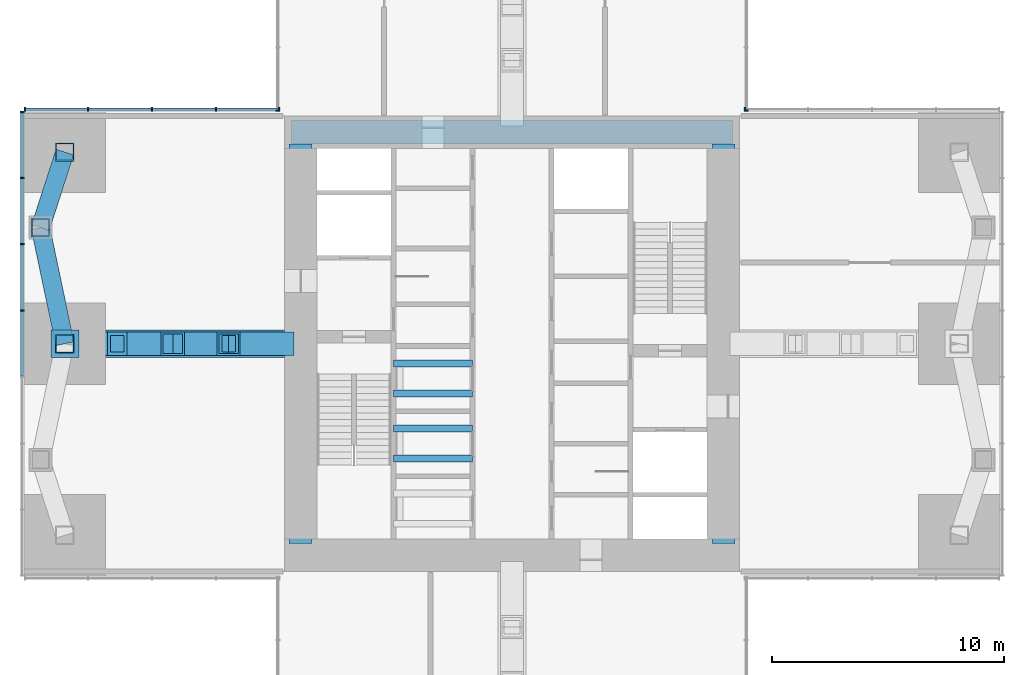
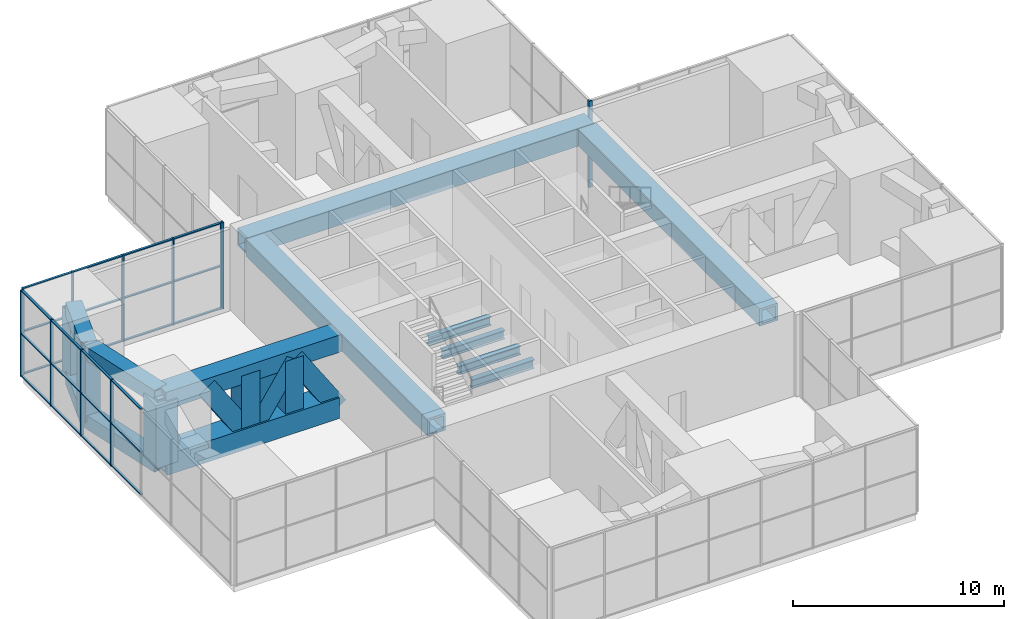
# One storey, part 4 of 12: 54 members, 4 beams, 5 elements without a shape of their own.
"""IFC4 building model written with IfcOpenShell, lengths in metres."""

from ifc_helpers import new_model, si_unit, direction, frame, origin, origin_2d, place, context, subcontext, project, spatial, rectangle, hollow_rectangle, i_section, extrude, material, material_profile, profile_set, type_object, element, aggregate, save


model = new_model("IFC4")

# Units and contexts
model_context = context("Model", 3, precision=1e-05, world=origin(), true_north=direction((0.0, 1.0)))
body_context = subcontext(model_context, "Body", "Model", "MODEL_VIEW")
ifc_project = project(units=[si_unit("LENGTHUNIT", "METRE"), si_unit("AREAUNIT", "SQUARE_METRE"), si_unit("VOLUMEUNIT", "CUBIC_METRE"), si_unit("PLANEANGLEUNIT", "RADIAN"), si_unit("MASSUNIT", "GRAM", prefix="KILO")], contexts=[model_context])

# Site, building, storey
site_placement = place(None, origin())
site = spatial("IfcSite", under=ifc_project, at=site_placement, CompositionType="ELEMENT")
building_placement = place(site_placement, origin())
building = spatial("IfcBuilding", under=site, at=building_placement, Name="Svetlomir Tower", CompositionType="ELEMENT")
storey_placement = place(building_placement, frame((0.0, 0.0, 234.5)))
storey = spatial("IfcBuildingStorey", under=building, at=storey_placement, Name="L56", CompositionType="ELEMENT", Elevation=234.5)

# Members
ifc_material_1 = material(Name="Steel S355", Category="steel")
ifc_material_profile_1 = material_profile(ifc_material_1, hollow_rectangle(XDim=0.800048828125, YDim=0.800048828125, WallThickness=0.050048828125, at=origin_2d()), Name="BOX 800x800x50")
ifc_profile_set_1 = profile_set([ifc_material_profile_1], Name="Steel S355")
member_type_1 = type_object("IfcMemberType", Name="BELT FRAME CHORD BOX 800x800x50", PredefinedType="CHORD", material=ifc_profile_set_1)
for number, where, z_axis, x_axis, name in (
    (1, (1.75, 21.0, 0.39990234375), (-0.205526387753, 0.978651574329, 0.0), (-0.978651574329, -0.205526387753, 0.0), "Belt frame W L56 bottom chord 3"),
    (2, (1.75, 21.0, 4.35009765625), (-0.205526387753, 0.978651574329, 0.0), (-0.978651574329, -0.205526387753, 0.0), "Belt frame W L56 top chord 3"),
):
    element("IfcMember", number, at=place(storey_placement, frame(where, z_axis=z_axis, x_axis=x_axis)), inside=storey, type_object=member_type_1, Name=name, PredefinedType="CHORD", context=body_context, shape_type="SweptSolid", body=[
        extrude(hollow_rectangle(XDim=0.800048828125, YDim=0.800048828125, WallThickness=0.050048828125, at=origin_2d()), origin(), (0.0, 0.0, 1.0), 5.109130859375),
    ])
for number, where, z_axis, x_axis, name in (
    (3, (0.699951171875, 26.0, 0.39990234375), (0.307443428225, 0.951566360503, 0.0), (-0.951566360503, 0.307443428225, 0.0), "Belt frame W L56 bottom chord 4"),
    (4, (0.699951171875, 26.0, 4.35009765625), (0.307443428225, 0.951566360503, 0.0), (-0.951566360503, 0.307443428225, 0.0), "Belt frame W L56 top chord 4"),
):
    element("IfcMember", number, at=place(storey_placement, frame(where, z_axis=z_axis, x_axis=x_axis)), inside=storey, type_object=member_type_1, Name=name, PredefinedType="CHORD", context=body_context, shape_type="SweptSolid", body=[
        extrude(hollow_rectangle(XDim=0.800048828125, YDim=0.800048828125, WallThickness=0.050048828125, at=origin_2d()), origin(), (0.0, 0.0, 1.0), 3.41552734375),
    ])
ifc_material_2 = material(Name="Steel S355", Category="steel")
ifc_material_profile_2 = material_profile(ifc_material_2, hollow_rectangle(XDim=0.800048828125, YDim=0.800048828125, WallThickness=0.050048828125, at=origin_2d()), Name="BOX 800x800x50")
ifc_profile_set_2 = profile_set([ifc_material_profile_2], Name="Steel S355")
member_type_2 = type_object("IfcMemberType", Name="BELT FRAME POST BOX 800x800x50", PredefinedType="POST", material=ifc_profile_set_2)
for number, where, z_axis, x_axis, name in (
    (5, (1.75, 21.0, 0.39990234375), (0.0, 0.0, 1.0), (1.0, 0.0, 0.0), "Belt frame W L56 post 3"),
    (6, (0.699951171875, 26.0, 0.39990234375), (0.0, 0.0, 1.0), (1.0, 0.0, 0.0), "Belt frame W L56 post 4"),
    (7, (1.75, 29.25, 0.39990234375), (0.0, 0.0, 1.0), (1.0, 0.0, 0.0), "Belt frame W L56 post 5"),
):
    element("IfcMember", number, at=place(storey_placement, frame(where, z_axis=z_axis, x_axis=x_axis)), inside=storey, type_object=member_type_2, Name=name, PredefinedType="POST", context=body_context, shape_type="SweptSolid", body=[
        extrude(hollow_rectangle(XDim=0.800048828125, YDim=0.800048828125, WallThickness=0.050048828125, at=origin_2d()), origin(), (0.0, 0.0, 1.0), 3.9501953125),
    ])

# Curtain wall, member
ifc_material_3 = material(Name="Bronze anodised aluminium curtain wall", Category="aluminium")
curtain_wall_type = type_object("IfcCurtainWallType", Name="CURTAIN WALL CW3 PLANT LOUVRE", PredefinedType="NOTDEFINED", material=ifc_material_3)
curtain_wall_1_placement = place(storey_placement, origin())
curtain_wall_1 = element("IfcCurtainWall", 8, at=curtain_wall_1_placement, inside=storey, type_object=curtain_wall_type, Name="Curtain wall CW3 L56", PredefinedType="NOTDEFINED")
ifc_material_4 = material(Name="Bronze anodised aluminium", Category="aluminium")
ifc_material_profile_3 = material_profile(ifc_material_4, rectangle(XDim=0.06494140625, YDim=0.179931640625, at=origin_2d()), Name="AL 65x180")
ifc_profile_set_3 = profile_set([ifc_material_profile_3], Name="Bronze anodised aluminium 6063-T6")
member_type_3 = type_object("IfcMemberType", Name="CW3 MULLION 65x180", PredefinedType="MULLION", material=ifc_profile_set_3)
member_1_placement = place(storey_placement, frame((31.032470703125, 31.090087890625, 0.0), z_axis=(0.0, 0.0, 1.0), x_axis=(-1.0, 0.0, 0.0)))
member_1 = element("IfcMember", 9, at=member_1_placement, type_object=member_type_3, Name="CW3 mullion 5", PredefinedType="MULLION", context=body_context, shape_type="SweptSolid", body=[
    extrude(rectangle(XDim=0.06494140625, YDim=0.179931640625, at=origin_2d()), origin(), (0.0, 0.0, 1.0), 5.0),
])
aggregate(curtain_wall_1, [member_1])

curtain_wall_2_placement = place(storey_placement, origin())
curtain_wall_2 = element("IfcCurtainWall", 10, at=curtain_wall_2_placement, inside=storey, type_object=curtain_wall_type, Name="Curtain wall CW3 L56", PredefinedType="NOTDEFINED")
member_2_placement = place(storey_placement, frame((31.090087890625, 31.032470703125, 0.0), z_axis=(0.0, 0.0, 1.0), x_axis=(0.0, 1.0, 0.0)))
member_2 = element("IfcMember", 11, at=member_2_placement, type_object=member_type_3, Name="CW3 mullion 1", PredefinedType="MULLION", context=body_context, shape_type="SweptSolid", body=[
    extrude(rectangle(XDim=0.06494140625, YDim=0.179931640625, at=origin_2d()), origin(), (0.0, 0.0, 1.0), 5.0),
])
aggregate(curtain_wall_2, [member_2])

curtain_wall_3_placement = place(storey_placement, origin())
curtain_wall_3 = element("IfcCurtainWall", 12, at=curtain_wall_3_placement, inside=storey, type_object=curtain_wall_type, Name="Curtain wall CW3 L56", PredefinedType="NOTDEFINED")
member_3_placement = place(storey_placement, frame((10.909912109375, 31.032470703125, 0.0), z_axis=(0.0, 0.0, 1.0), x_axis=(0.0, -1.0, 0.0)))
member_3 = element("IfcMember", 13, at=member_3_placement, type_object=member_type_3, Name="CW3 mullion 5", PredefinedType="MULLION", context=body_context, shape_type="SweptSolid", body=[
    extrude(rectangle(XDim=0.06494140625, YDim=0.179931640625, at=origin_2d()), origin(), (0.0, 0.0, 1.0), 5.0),
])
aggregate(curtain_wall_3, [member_3])

# Curtain wall, members
curtain_wall_4_placement = place(storey_placement, origin())
curtain_wall_4 = element("IfcCurtainWall", 14, at=curtain_wall_4_placement, inside=storey, type_object=curtain_wall_type, Name="Curtain wall CW3 L56", PredefinedType="NOTDEFINED")
member_4_placement = place(storey_placement, frame((10.967529296875, 31.090087890625, 0.0), z_axis=(0.0, 0.0, 1.0), x_axis=(-1.0, 0.0, 0.0)))
member_4 = element("IfcMember", 15, at=member_4_placement, type_object=member_type_3, Name="CW3 mullion 1", PredefinedType="MULLION", context=body_context, shape_type="SweptSolid", body=[
    extrude(rectangle(XDim=0.06494140625, YDim=0.179931640625, at=origin_2d()), origin(), (0.0, 0.0, 1.0), 5.0),
])
member_5_placement = place(storey_placement, frame((8.25, 31.090087890625, 0.0), z_axis=(0.0, 0.0, 1.0), x_axis=(-1.0, 0.0, 0.0)))
member_5 = element("IfcMember", 16, at=member_5_placement, type_object=member_type_3, Name="CW3 mullion 2", PredefinedType="MULLION", context=body_context, shape_type="SweptSolid", body=[
    extrude(rectangle(XDim=0.06494140625, YDim=0.179931640625, at=origin_2d()), origin(), (0.0, 0.0, 1.0), 5.0),
])
member_6_placement = place(storey_placement, frame((5.5, 31.090087890625, 0.0), z_axis=(0.0, 0.0, 1.0), x_axis=(-1.0, 0.0, 0.0)))
member_6 = element("IfcMember", 17, at=member_6_placement, type_object=member_type_3, Name="CW3 mullion 3", PredefinedType="MULLION", context=body_context, shape_type="SweptSolid", body=[
    extrude(rectangle(XDim=0.06494140625, YDim=0.179931640625, at=origin_2d()), origin(), (0.0, 0.0, 1.0), 5.0),
])
member_7_placement = place(storey_placement, frame((2.75, 31.090087890625, 0.0), z_axis=(0.0, 0.0, 1.0), x_axis=(-1.0, 0.0, 0.0)))
member_7 = element("IfcMember", 18, at=member_7_placement, type_object=member_type_3, Name="CW3 mullion 4", PredefinedType="MULLION", context=body_context, shape_type="SweptSolid", body=[
    extrude(rectangle(XDim=0.06494140625, YDim=0.179931640625, at=origin_2d()), origin(), (0.0, 0.0, 1.0), 5.0),
])
member_8_placement = place(storey_placement, frame((0.032470703125, 31.090087890625, 0.0), z_axis=(0.0, 0.0, 1.0), x_axis=(-1.0, 0.0, 0.0)))
member_8 = element("IfcMember", 19, at=member_8_placement, type_object=member_type_3, Name="CW3 mullion 5", PredefinedType="MULLION", context=body_context, shape_type="SweptSolid", body=[
    extrude(rectangle(XDim=0.06494140625, YDim=0.179931640625, at=origin_2d()), origin(), (0.0, 0.0, 1.0), 5.0),
])

curtain_wall_5_placement = place(storey_placement, origin())
curtain_wall_5 = element("IfcCurtainWall", 20, at=curtain_wall_5_placement, inside=storey, type_object=curtain_wall_type, Name="Curtain wall CW3 L56", PredefinedType="NOTDEFINED")
member_9_placement = place(storey_placement, frame((-0.090087890625, 30.967529296875, 0.0), z_axis=(0.0, 0.0, 1.0), x_axis=(0.0, -1.0, 0.0)))
member_9 = element("IfcMember", 21, at=member_9_placement, type_object=member_type_3, Name="CW3 mullion 1", PredefinedType="MULLION", context=body_context, shape_type="SweptSolid", body=[
    extrude(rectangle(XDim=0.06494140625, YDim=0.179931640625, at=origin_2d()), origin(), (0.0, 0.0, 1.0), 5.0),
])
member_10_placement = place(storey_placement, frame((-0.090087890625, 28.142822265625, 0.0), z_axis=(0.0, 0.0, 1.0), x_axis=(0.0, -1.0, 0.0)))
member_10 = element("IfcMember", 22, at=member_10_placement, type_object=member_type_3, Name="CW3 mullion 2", PredefinedType="MULLION", context=body_context, shape_type="SweptSolid", body=[
    extrude(rectangle(XDim=0.06494140625, YDim=0.179931640625, at=origin_2d()), origin(), (0.0, 0.0, 1.0), 5.0),
])
member_11_placement = place(storey_placement, frame((-0.090087890625, 25.28564453125, 0.0), z_axis=(0.0, 0.0, 1.0), x_axis=(0.0, -1.0, 0.0)))
member_11 = element("IfcMember", 23, at=member_11_placement, type_object=member_type_3, Name="CW3 mullion 3", PredefinedType="MULLION", context=body_context, shape_type="SweptSolid", body=[
    extrude(rectangle(XDim=0.06494140625, YDim=0.179931640625, at=origin_2d()), origin(), (0.0, 0.0, 1.0), 5.0),
])
member_12_placement = place(storey_placement, frame((-0.090087890625, 22.428466796875, 0.0), z_axis=(0.0, 0.0, 1.0), x_axis=(0.0, -1.0, 0.0)))
member_12 = element("IfcMember", 24, at=member_12_placement, type_object=member_type_3, Name="CW3 mullion 4", PredefinedType="MULLION", context=body_context, shape_type="SweptSolid", body=[
    extrude(rectangle(XDim=0.06494140625, YDim=0.179931640625, at=origin_2d()), origin(), (0.0, 0.0, 1.0), 5.0),
])

# Member
ifc_material_5 = material(Name="Bronze anodised aluminium", Category="aluminium")
ifc_material_profile_4 = material_profile(ifc_material_5, rectangle(XDim=0.1201171875, YDim=0.06494140625, at=origin_2d()), Name="AL 120x65")
ifc_profile_set_4 = profile_set([ifc_material_profile_4], Name="Bronze anodised aluminium 6063-T6")
member_type_4 = type_object("IfcMemberType", Name="CW3 TRANSOM 65x120", PredefinedType="USERDEFINED", material=ifc_profile_set_4)
member_13_placement = place(storey_placement, frame((10.93505859375, 31.090087890625, 0.032470703125), z_axis=(-1.0, 0.0, 0.0), x_axis=(0.0, -1.0, 0.0)))
member_13 = element("IfcMember", 25, at=member_13_placement, type_object=member_type_4, Name="CW3 transom 1.1", ObjectType="TRANSOM", PredefinedType="USERDEFINED", context=body_context, shape_type="SweptSolid", body=[
    extrude(rectangle(XDim=0.1201171875, YDim=0.06494140625, at=origin_2d()), origin(), (0.0, 0.0, 1.0), 2.652587890625),
])

member_14_placement = place(storey_placement, frame((10.93505859375, 31.090087890625, 2.483642578125), z_axis=(-1.0, 0.0, 0.0), x_axis=(0.0, -1.0, 0.0)))
member_14 = element("IfcMember", 26, at=member_14_placement, type_object=member_type_4, Name="CW3 transom 1.2", ObjectType="TRANSOM", PredefinedType="USERDEFINED", context=body_context, shape_type="SweptSolid", body=[
    extrude(rectangle(XDim=0.1201171875, YDim=0.06494140625, at=origin_2d()), origin(), (0.0, 0.0, 1.0), 2.652587890625),
])

member_15_placement = place(storey_placement, frame((10.93505859375, 31.090087890625, 4.967529296875), z_axis=(-1.0, 0.0, 0.0), x_axis=(0.0, -1.0, 0.0)))
member_15 = element("IfcMember", 27, at=member_15_placement, type_object=member_type_4, Name="CW3 transom 1.3", ObjectType="TRANSOM", PredefinedType="USERDEFINED", context=body_context, shape_type="SweptSolid", body=[
    extrude(rectangle(XDim=0.1201171875, YDim=0.06494140625, at=origin_2d()), origin(), (0.0, 0.0, 1.0), 2.652587890625),
])

member_16_placement = place(storey_placement, frame((8.217529296875, 31.090087890625, 0.032470703125), z_axis=(-1.0, 0.0, 0.0), x_axis=(0.0, -1.0, 0.0)))
member_16 = element("IfcMember", 28, at=member_16_placement, type_object=member_type_4, Name="CW3 transom 2.1", ObjectType="TRANSOM", PredefinedType="USERDEFINED", context=body_context, shape_type="SweptSolid", body=[
    extrude(rectangle(XDim=0.1201171875, YDim=0.06494140625, at=origin_2d()), origin(), (0.0, 0.0, 1.0), 2.68505859375),
])

member_17_placement = place(storey_placement, frame((8.217529296875, 31.090087890625, 2.483642578125), z_axis=(-1.0, 0.0, 0.0), x_axis=(0.0, -1.0, 0.0)))
member_17 = element("IfcMember", 29, at=member_17_placement, type_object=member_type_4, Name="CW3 transom 2.2", ObjectType="TRANSOM", PredefinedType="USERDEFINED", context=body_context, shape_type="SweptSolid", body=[
    extrude(rectangle(XDim=0.1201171875, YDim=0.06494140625, at=origin_2d()), origin(), (0.0, 0.0, 1.0), 2.68505859375),
])

member_18_placement = place(storey_placement, frame((8.217529296875, 31.090087890625, 4.967529296875), z_axis=(-1.0, 0.0, 0.0), x_axis=(0.0, -1.0, 0.0)))
member_18 = element("IfcMember", 30, at=member_18_placement, type_object=member_type_4, Name="CW3 transom 2.3", ObjectType="TRANSOM", PredefinedType="USERDEFINED", context=body_context, shape_type="SweptSolid", body=[
    extrude(rectangle(XDim=0.1201171875, YDim=0.06494140625, at=origin_2d()), origin(), (0.0, 0.0, 1.0), 2.68505859375),
])

member_19_placement = place(storey_placement, frame((5.467529296875, 31.090087890625, 0.032470703125), z_axis=(-1.0, 0.0, 0.0), x_axis=(0.0, -1.0, 0.0)))
member_19 = element("IfcMember", 31, at=member_19_placement, type_object=member_type_4, Name="CW3 transom 3.1", ObjectType="TRANSOM", PredefinedType="USERDEFINED", context=body_context, shape_type="SweptSolid", body=[
    extrude(rectangle(XDim=0.1201171875, YDim=0.06494140625, at=origin_2d()), origin(), (0.0, 0.0, 1.0), 2.68505859375),
])

member_20_placement = place(storey_placement, frame((5.467529296875, 31.090087890625, 2.483642578125), z_axis=(-1.0, 0.0, 0.0), x_axis=(0.0, -1.0, 0.0)))
member_20 = element("IfcMember", 32, at=member_20_placement, type_object=member_type_4, Name="CW3 transom 3.2", ObjectType="TRANSOM", PredefinedType="USERDEFINED", context=body_context, shape_type="SweptSolid", body=[
    extrude(rectangle(XDim=0.1201171875, YDim=0.06494140625, at=origin_2d()), origin(), (0.0, 0.0, 1.0), 2.68505859375),
])

member_21_placement = place(storey_placement, frame((5.467529296875, 31.090087890625, 4.967529296875), z_axis=(-1.0, 0.0, 0.0), x_axis=(0.0, -1.0, 0.0)))
member_21 = element("IfcMember", 33, at=member_21_placement, type_object=member_type_4, Name="CW3 transom 3.3", ObjectType="TRANSOM", PredefinedType="USERDEFINED", context=body_context, shape_type="SweptSolid", body=[
    extrude(rectangle(XDim=0.1201171875, YDim=0.06494140625, at=origin_2d()), origin(), (0.0, 0.0, 1.0), 2.68505859375),
])

member_22_placement = place(storey_placement, frame((2.717529296875, 31.090087890625, 0.032470703125), z_axis=(-1.0, 0.0, 0.0), x_axis=(0.0, -1.0, 0.0)))
member_22 = element("IfcMember", 34, at=member_22_placement, type_object=member_type_4, Name="CW3 transom 4.1", ObjectType="TRANSOM", PredefinedType="USERDEFINED", context=body_context, shape_type="SweptSolid", body=[
    extrude(rectangle(XDim=0.1201171875, YDim=0.06494140625, at=origin_2d()), origin(), (0.0, 0.0, 1.0), 2.652587890625),
])

member_23_placement = place(storey_placement, frame((2.717529296875, 31.090087890625, 2.483642578125), z_axis=(-1.0, 0.0, 0.0), x_axis=(0.0, -1.0, 0.0)))
member_23 = element("IfcMember", 35, at=member_23_placement, type_object=member_type_4, Name="CW3 transom 4.2", ObjectType="TRANSOM", PredefinedType="USERDEFINED", context=body_context, shape_type="SweptSolid", body=[
    extrude(rectangle(XDim=0.1201171875, YDim=0.06494140625, at=origin_2d()), origin(), (0.0, 0.0, 1.0), 2.652587890625),
])

member_24_placement = place(storey_placement, frame((2.717529296875, 31.090087890625, 4.967529296875), z_axis=(-1.0, 0.0, 0.0), x_axis=(0.0, -1.0, 0.0)))
member_24 = element("IfcMember", 36, at=member_24_placement, type_object=member_type_4, Name="CW3 transom 4.3", ObjectType="TRANSOM", PredefinedType="USERDEFINED", context=body_context, shape_type="SweptSolid", body=[
    extrude(rectangle(XDim=0.1201171875, YDim=0.06494140625, at=origin_2d()), origin(), (0.0, 0.0, 1.0), 2.652587890625),
])

aggregate(curtain_wall_4, [member_4, member_5, member_6, member_7, member_8, member_13, member_14, member_15, member_16, member_17, member_18, member_19, member_20, member_21, member_22, member_23, member_24])

member_25_placement = place(storey_placement, frame((-0.090087890625, 30.93505859375, 0.032470703125), z_axis=(0.0, -1.0, 0.0), x_axis=(1.0, 0.0, 0.0)))
member_25 = element("IfcMember", 37, at=member_25_placement, type_object=member_type_4, Name="CW3 transom 1.1", ObjectType="TRANSOM", PredefinedType="USERDEFINED", context=body_context, shape_type="SweptSolid", body=[
    extrude(rectangle(XDim=0.1201171875, YDim=0.06494140625, at=origin_2d()), origin(), (0.0, 0.0, 1.0), 2.759765625),
])

member_26_placement = place(storey_placement, frame((-0.090087890625, 30.93505859375, 2.483642578125), z_axis=(0.0, -1.0, 0.0), x_axis=(1.0, 0.0, 0.0)))
member_26 = element("IfcMember", 38, at=member_26_placement, type_object=member_type_4, Name="CW3 transom 1.2", ObjectType="TRANSOM", PredefinedType="USERDEFINED", context=body_context, shape_type="SweptSolid", body=[
    extrude(rectangle(XDim=0.1201171875, YDim=0.06494140625, at=origin_2d()), origin(), (0.0, 0.0, 1.0), 2.759765625),
])

member_27_placement = place(storey_placement, frame((-0.090087890625, 30.93505859375, 4.967529296875), z_axis=(0.0, -1.0, 0.0), x_axis=(1.0, 0.0, 0.0)))
member_27 = element("IfcMember", 39, at=member_27_placement, type_object=member_type_4, Name="CW3 transom 1.3", ObjectType="TRANSOM", PredefinedType="USERDEFINED", context=body_context, shape_type="SweptSolid", body=[
    extrude(rectangle(XDim=0.1201171875, YDim=0.06494140625, at=origin_2d()), origin(), (0.0, 0.0, 1.0), 2.759765625),
])

member_28_placement = place(storey_placement, frame((-0.090087890625, 28.1103515625, 0.032470703125), z_axis=(0.0, -1.0, 0.0), x_axis=(1.0, 0.0, 0.0)))
member_28 = element("IfcMember", 40, at=member_28_placement, type_object=member_type_4, Name="CW3 transom 2.1", ObjectType="TRANSOM", PredefinedType="USERDEFINED", context=body_context, shape_type="SweptSolid", body=[
    extrude(rectangle(XDim=0.1201171875, YDim=0.06494140625, at=origin_2d()), origin(), (0.0, 0.0, 1.0), 2.792236328125),
])

member_29_placement = place(storey_placement, frame((-0.090087890625, 28.1103515625, 2.483642578125), z_axis=(0.0, -1.0, 0.0), x_axis=(1.0, 0.0, 0.0)))
member_29 = element("IfcMember", 41, at=member_29_placement, type_object=member_type_4, Name="CW3 transom 2.2", ObjectType="TRANSOM", PredefinedType="USERDEFINED", context=body_context, shape_type="SweptSolid", body=[
    extrude(rectangle(XDim=0.1201171875, YDim=0.06494140625, at=origin_2d()), origin(), (0.0, 0.0, 1.0), 2.792236328125),
])

member_30_placement = place(storey_placement, frame((-0.090087890625, 28.1103515625, 4.967529296875), z_axis=(0.0, -1.0, 0.0), x_axis=(1.0, 0.0, 0.0)))
member_30 = element("IfcMember", 42, at=member_30_placement, type_object=member_type_4, Name="CW3 transom 2.3", ObjectType="TRANSOM", PredefinedType="USERDEFINED", context=body_context, shape_type="SweptSolid", body=[
    extrude(rectangle(XDim=0.1201171875, YDim=0.06494140625, at=origin_2d()), origin(), (0.0, 0.0, 1.0), 2.792236328125),
])

member_31_placement = place(storey_placement, frame((-0.090087890625, 25.253173828125, 0.032470703125), z_axis=(0.0, -1.0, 0.0), x_axis=(1.0, 0.0, 0.0)))
member_31 = element("IfcMember", 43, at=member_31_placement, type_object=member_type_4, Name="CW3 transom 3.1", ObjectType="TRANSOM", PredefinedType="USERDEFINED", context=body_context, shape_type="SweptSolid", body=[
    extrude(rectangle(XDim=0.1201171875, YDim=0.06494140625, at=origin_2d()), origin(), (0.0, 0.0, 1.0), 2.7919921875),
])

member_32_placement = place(storey_placement, frame((-0.090087890625, 25.253173828125, 2.483642578125), z_axis=(0.0, -1.0, 0.0), x_axis=(1.0, 0.0, 0.0)))
member_32 = element("IfcMember", 44, at=member_32_placement, type_object=member_type_4, Name="CW3 transom 3.2", ObjectType="TRANSOM", PredefinedType="USERDEFINED", context=body_context, shape_type="SweptSolid", body=[
    extrude(rectangle(XDim=0.1201171875, YDim=0.06494140625, at=origin_2d()), origin(), (0.0, 0.0, 1.0), 2.7919921875),
])

member_33_placement = place(storey_placement, frame((-0.090087890625, 25.253173828125, 4.967529296875), z_axis=(0.0, -1.0, 0.0), x_axis=(1.0, 0.0, 0.0)))
member_33 = element("IfcMember", 45, at=member_33_placement, type_object=member_type_4, Name="CW3 transom 3.3", ObjectType="TRANSOM", PredefinedType="USERDEFINED", context=body_context, shape_type="SweptSolid", body=[
    extrude(rectangle(XDim=0.1201171875, YDim=0.06494140625, at=origin_2d()), origin(), (0.0, 0.0, 1.0), 2.7919921875),
])

member_34_placement = place(storey_placement, frame((-0.090087890625, 22.39599609375, 0.032470703125), z_axis=(0.0, -1.0, 0.0), x_axis=(1.0, 0.0, 0.0)))
member_34 = element("IfcMember", 46, at=member_34_placement, type_object=member_type_4, Name="CW3 transom 4.1", ObjectType="TRANSOM", PredefinedType="USERDEFINED", context=body_context, shape_type="SweptSolid", body=[
    extrude(rectangle(XDim=0.1201171875, YDim=0.06494140625, at=origin_2d()), origin(), (0.0, 0.0, 1.0), 2.7919921875),
])

member_35_placement = place(storey_placement, frame((-0.090087890625, 22.39599609375, 2.483642578125), z_axis=(0.0, -1.0, 0.0), x_axis=(1.0, 0.0, 0.0)))
member_35 = element("IfcMember", 47, at=member_35_placement, type_object=member_type_4, Name="CW3 transom 4.2", ObjectType="TRANSOM", PredefinedType="USERDEFINED", context=body_context, shape_type="SweptSolid", body=[
    extrude(rectangle(XDim=0.1201171875, YDim=0.06494140625, at=origin_2d()), origin(), (0.0, 0.0, 1.0), 2.7919921875),
])

member_36_placement = place(storey_placement, frame((-0.090087890625, 22.39599609375, 4.967529296875), z_axis=(0.0, -1.0, 0.0), x_axis=(1.0, 0.0, 0.0)))
member_36 = element("IfcMember", 48, at=member_36_placement, type_object=member_type_4, Name="CW3 transom 4.3", ObjectType="TRANSOM", PredefinedType="USERDEFINED", context=body_context, shape_type="SweptSolid", body=[
    extrude(rectangle(XDim=0.1201171875, YDim=0.06494140625, at=origin_2d()), origin(), (0.0, 0.0, 1.0), 2.7919921875),
])

aggregate(curtain_wall_5, [member_9, member_10, member_11, member_12, member_25, member_26, member_27, member_28, member_29, member_30, member_31, member_32, member_33, member_34, member_35, member_36])

# Beams
ifc_material_6 = material(Name="Steel S355", Category="steel")
ifc_material_profile_5 = material_profile(ifc_material_6, i_section(OverallWidth=0.300048828125, OverallDepth=0.5, WebThickness=0.014404296875, FlangeThickness=0.028076171875, FilletRadius=0.027099609375, at=origin_2d()), Name="HEB 500")
ifc_profile_set_5 = profile_set([ifc_material_profile_5], Name="Steel S355")
beam_type = type_object("IfcBeamType", Name="LIFT PIT BEAM HEB 500", PredefinedType="BEAM", material=ifc_profile_set_5)
for number, where, z_axis, x_axis, name in (
    (49, (15.89990234375, 16.050048828125, 3.050048828125), (1.0, 0.0, 0.0), (0.0, 1.0, 0.0), "Lift pit beam BANK-W2 1 under L57"),
    (50, (15.89990234375, 17.35009765625, 3.050048828125), (1.0, 0.0, 0.0), (0.0, 1.0, 0.0), "Lift pit beam BANK-W2 2 under L57"),
    (51, (15.89990234375, 18.85009765625, 3.050048828125), (1.0, 0.0, 0.0), (0.0, 1.0, 0.0), "Lift pit beam BANK-W3 1 under L57"),
    (52, (15.89990234375, 20.14990234375, 3.050048828125), (1.0, 0.0, 0.0), (0.0, 1.0, 0.0), "Lift pit beam BANK-W3 2 under L57"),
):
    element("IfcBeam", number, at=place(storey_placement, frame(where, z_axis=z_axis, x_axis=x_axis)), inside=storey, type_object=beam_type, Name=name, PredefinedType="BEAM", context=body_context, shape_type="SweptSolid", body=[
        extrude(i_section(OverallWidth=0.300048828125, OverallDepth=0.5, WebThickness=0.014404296875, FlangeThickness=0.028076171875, FilletRadius=0.027099609375, at=origin_2d()), origin(), (0.0, 0.0, 1.0), 3.400146484375),
    ])

# Members
ifc_material_7 = material(Name="Steel S355", Category="steel")
ifc_material_profile_6 = material_profile(ifc_material_7, hollow_rectangle(XDim=1.0, YDim=1.0, WallThickness=0.1201171875, at=origin_2d()), Name="BOX 1000x1000x120")
ifc_profile_set_6 = profile_set([ifc_material_profile_6], Name="Steel S355")
member_type_5 = type_object("IfcMemberType", Name="OUTRIGGER CHORD BOX 1000x1000x120", PredefinedType="CHORD", material=ifc_profile_set_6)
member_37_placement = place(storey_placement, frame((11.39990234375, 21.0, 4.25), z_axis=(-1.0, 0.0, 0.0), x_axis=(0.0, -1.0, 0.0)))
element("IfcMember", 53, at=member_37_placement, inside=storey, type_object=member_type_5, Name="Outrigger W L56 top chord", PredefinedType="CHORD", context=body_context, shape_type="SweptSolid", body=[
    extrude(hollow_rectangle(XDim=1.0, YDim=1.0, WallThickness=0.1201171875, at=origin_2d()), origin(), (0.0, 0.0, 1.0), 9.64990234375),
])
ifc_material_8 = material(Name="Steel S355", Category="steel")
ifc_material_profile_7 = material_profile(ifc_material_8, hollow_rectangle(XDim=1.199951171875, YDim=1.199951171875, WallThickness=0.14990234375, at=origin_2d()), Name="BOX 1200x1200x150")
ifc_profile_set_7 = profile_set([ifc_material_profile_7], Name="Steel S355")
member_type_6 = type_object("IfcMemberType", Name="OUTRIGGER CHORD BOX 1200x1200x150", PredefinedType="CHORD", material=ifc_profile_set_7)
member_38_placement = place(storey_placement, frame((11.199951171875, 21.0, 0.60009765625), z_axis=(-1.0, 0.0, 0.0), x_axis=(0.0, -1.0, 0.0)))
element("IfcMember", 54, at=member_38_placement, inside=storey, type_object=member_type_6, Name="Outrigger W L56 bottom chord", PredefinedType="CHORD", context=body_context, shape_type="SweptSolid", body=[
    extrude(hollow_rectangle(XDim=1.199951171875, YDim=1.199951171875, WallThickness=0.14990234375, at=origin_2d()), origin(), (0.0, 0.0, 1.0), 9.449951171875),
])
ifc_material_9 = material(Name="Steel S355", Category="steel")
ifc_material_profile_8 = material_profile(ifc_material_9, hollow_rectangle(XDim=1.0, YDim=1.0, WallThickness=0.1201171875, at=origin_2d()), Name="BOX 1000x1000x120")
ifc_profile_set_8 = profile_set([ifc_material_profile_8], Name="Steel S355")
member_type_7 = type_object("IfcMemberType", Name="OUTRIGGER CHORD, EMBEDDED BOX 1000x1000x120", PredefinedType="CHORD", material=ifc_profile_set_8)
member_39_placement = place(storey_placement, frame((11.5, 30.10009765625, 4.25), z_axis=(1.0, 0.0, 0.0), x_axis=(0.0, 1.0, 0.0)))
element("IfcMember", 55, at=member_39_placement, inside=storey, type_object=member_type_7, Name="Embedded outrigger chord N core wall L56 top", PredefinedType="CHORD", context=body_context, shape_type="SweptSolid", body=[
    extrude(hollow_rectangle(XDim=1.0, YDim=1.0, WallThickness=0.1201171875, at=origin_2d()), origin(), (0.0, 0.0, 1.0), 19.0),
])
for number, where, z_axis, x_axis, name in (
    (56, (11.89990234375, 12.39990234375, 4.25), (0.0, 1.0, 0.0), (-1.0, 0.0, 0.0), "Embedded outrigger chord W core wall L56 top"),
    (57, (30.10009765625, 12.39990234375, 4.25), (0.0, 1.0, 0.0), (-1.0, 0.0, 0.0), "Embedded outrigger chord E core wall L56 top"),
):
    element("IfcMember", number, at=place(storey_placement, frame(where, z_axis=z_axis, x_axis=x_axis)), inside=storey, type_object=member_type_7, Name=name, PredefinedType="CHORD", context=body_context, shape_type="SweptSolid", body=[
        extrude(hollow_rectangle(XDim=1.0, YDim=1.0, WallThickness=0.1201171875, at=origin_2d()), origin(), (0.0, 0.0, 1.0), 17.2001953125),
    ])
ifc_material_10 = material(Name="Steel S355", Category="steel")
ifc_material_profile_9 = material_profile(ifc_material_10, hollow_rectangle(XDim=1.0, YDim=1.0, WallThickness=0.14990234375, at=origin_2d()), Name="BOX 1000x1000x150")
ifc_profile_set_9 = profile_set([ifc_material_profile_9], Name="Steel S355")
member_type_8 = type_object("IfcMemberType", Name="OUTRIGGER DIAGONAL BOX 1000x1000x150", PredefinedType="BRACE", material=ifc_profile_set_9)
member_40_placement = place(storey_placement, frame((11.199951171875, 21.0, 0.60009765625), z_axis=(-0.549400918172, 0.0, 0.835558873516), x_axis=(0.0, -1.0, 0.0)))
element("IfcMember", 58, at=member_40_placement, inside=storey, type_object=member_type_8, Name="Outrigger W L56 diagonal 1", PredefinedType="BRACE", context=body_context, shape_type="SweptSolid", body=[
    extrude(hollow_rectangle(XDim=1.0, YDim=1.0, WallThickness=0.14990234375, at=origin_2d()), origin(), (0.0, 0.0, 1.0), 4.3681640625),
])
member_41_placement = place(storey_placement, frame((8.800048828125, 21.0, 4.25), z_axis=(-0.549439936618, 0.0, -0.835533216604), x_axis=(0.0, -1.0, 0.0)))
element("IfcMember", 59, at=member_41_placement, inside=storey, type_object=member_type_8, Name="Outrigger W L56 diagonal 2", PredefinedType="BRACE", context=body_context, shape_type="SweptSolid", body=[
    extrude(hollow_rectangle(XDim=1.0, YDim=1.0, WallThickness=0.14990234375, at=origin_2d()), origin(), (0.0, 0.0, 1.0), 4.368408203125),
])
member_42_placement = place(storey_placement, frame((6.39990234375, 21.0, 0.60009765625), z_axis=(-0.549400918172, 0.0, 0.835558873516), x_axis=(0.0, -1.0, 0.0)))
element("IfcMember", 60, at=member_42_placement, inside=storey, type_object=member_type_8, Name="Outrigger W L56 diagonal 3", PredefinedType="BRACE", context=body_context, shape_type="SweptSolid", body=[
    extrude(hollow_rectangle(XDim=1.0, YDim=1.0, WallThickness=0.14990234375, at=origin_2d()), origin(), (0.0, 0.0, 1.0), 4.3681640625),
])
ifc_material_11 = material(Name="Steel S355", Category="steel")
ifc_material_profile_10 = material_profile(ifc_material_11, hollow_rectangle(XDim=1.199951171875, YDim=1.199951171875, WallThickness=0.199951171875, at=origin_2d()), Name="BOX 1200x1200x200")
ifc_profile_set_10 = profile_set([ifc_material_profile_10], Name="Steel S355")
member_type_9 = type_object("IfcMemberType", Name="OUTRIGGER END POST BOX 1200x1200x200", PredefinedType="POST", material=ifc_profile_set_10)
member_43_placement = place(storey_placement, frame((1.75, 21.0, 0.60009765625), z_axis=(0.0, 0.0, 1.0), x_axis=(1.0, 0.0, 0.0)))
element("IfcMember", 61, at=member_43_placement, inside=storey, type_object=member_type_9, Name="Outrigger W L56 end post", PredefinedType="POST", context=body_context, shape_type="SweptSolid", body=[
    extrude(hollow_rectangle(XDim=1.199951171875, YDim=1.199951171875, WallThickness=0.199951171875, at=origin_2d()), origin(), (0.0, 0.0, 1.0), 3.64990234375),
])
ifc_material_12 = material(Name="Steel S355", Category="steel")
ifc_material_profile_11 = material_profile(ifc_material_12, hollow_rectangle(XDim=1.0, YDim=1.0, WallThickness=0.080078125, at=origin_2d()), Name="BOX 1000x1000x80")
ifc_profile_set_11 = profile_set([ifc_material_profile_11], Name="Steel S355")
member_type_10 = type_object("IfcMemberType", Name="OUTRIGGER POST BOX 1000x1000x80", PredefinedType="POST", material=ifc_profile_set_11)
for number, where, z_axis, x_axis, name in (
    (62, (8.800048828125, 21.0, 0.60009765625), (0.0, 0.0, 1.0), (1.0, 0.0, 0.0), "Outrigger W L56 post 1"),
    (63, (6.39990234375, 21.0, 0.60009765625), (0.0, 0.0, 1.0), (1.0, 0.0, 0.0), "Outrigger W L56 post 2"),
):
    element("IfcMember", number, at=place(storey_placement, frame(where, z_axis=z_axis, x_axis=x_axis)), inside=storey, type_object=member_type_10, Name=name, PredefinedType="POST", context=body_context, shape_type="SweptSolid", body=[
        extrude(hollow_rectangle(XDim=1.0, YDim=1.0, WallThickness=0.080078125, at=origin_2d()), origin(), (0.0, 0.0, 1.0), 3.64990234375),
    ])

save(model, "model.ifc")
